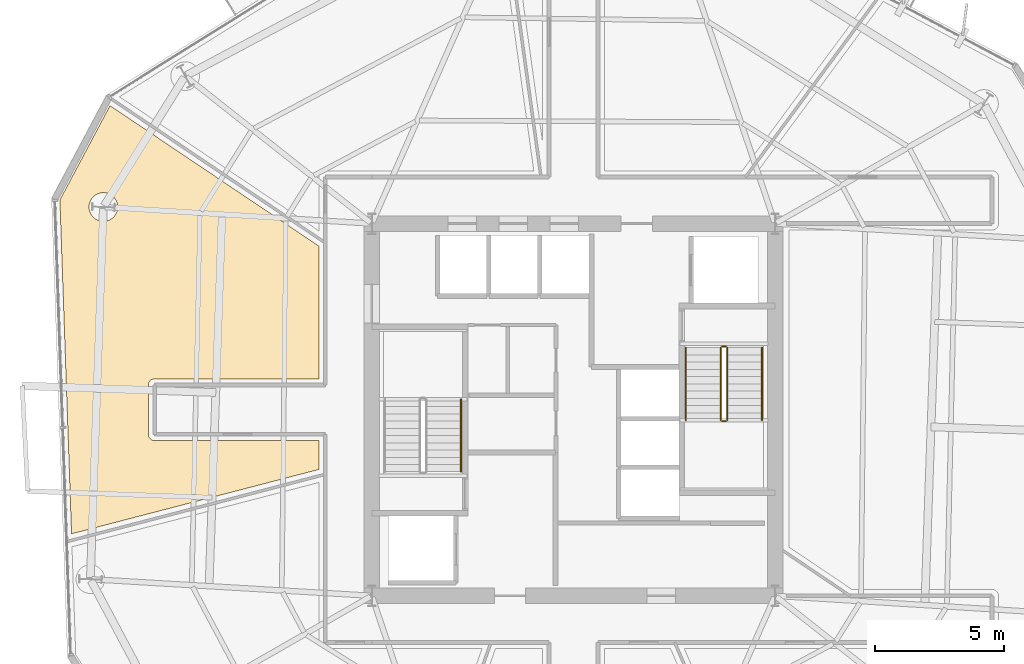
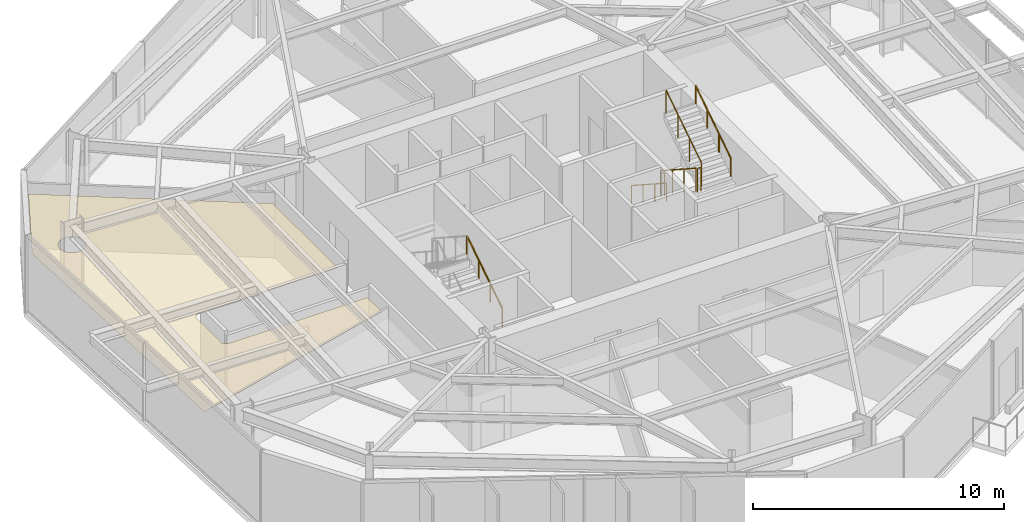
# One storey, part 10 of 12: 7 railings, 1 covering.
"""IFC4 building model written with IfcOpenShell, lengths in metres."""

from ifc_helpers import new_model, si_unit, direction, frame, origin, origin_2d, place, context, subcontext, project, spatial, polyline, circle, outline, extrude, material, layer, layer_set, type_object, element, save


model = new_model("IFC4")

# Units and contexts
model_context = context("Model", 3, precision=1e-05, world=origin(), true_north=direction((0.0, 1.0)))
body_context = subcontext(model_context, "Body", "Model", "MODEL_VIEW")
ifc_project = project(units=[si_unit("LENGTHUNIT", "METRE"), si_unit("AREAUNIT", "SQUARE_METRE"), si_unit("VOLUMEUNIT", "CUBIC_METRE"), si_unit("PLANEANGLEUNIT", "RADIAN"), si_unit("MASSUNIT", "GRAM", prefix="KILO")], contexts=[model_context])

# Site, building, storey
site_placement = place(None, origin())
site = spatial("IfcSite", under=ifc_project, at=site_placement, CompositionType="ELEMENT")
building_placement = place(site_placement, origin())
building = spatial("IfcBuilding", under=site, at=building_placement, Name="Kranzbogen Civic Tower", CompositionType="ELEMENT")
storey_placement = place(building_placement, frame((0.0, 0.0, 150.39990234375)))
storey = spatial("IfcBuildingStorey", under=building, at=storey_placement, Name="L36", CompositionType="ELEMENT", Elevation=150.39990234375)

# Railings
ifc_material_1 = material(Name="Steel S355", Category="steel")
railing_type_1 = type_object("IfcRailingType", Name="Internal Stair and Void Steel Guardrail 1150", PredefinedType="GUARDRAIL", material=ifc_material_1)
railing_1_placement = place(storey_placement, frame((30.699951171875, 27.39990234375, 0.181884765625)))
element("IfcRailing", 1, at=railing_1_placement, inside=storey, type_object=railing_type_1, Name="L36 ST-T2 stair guard 1", PredefinedType="GUARDRAIL", context=body_context, shape_type="SweptSolid", body=[
    extrude(circle(Radius=0.02392578125, at=origin_2d()), frame((0.0, 0.0, 1.1259765625), z_axis=(0.0, -0.83868413941, 0.544618136222), x_axis=(1.0, 0.0, 0.0)), (0.0, 0.0, 1.0), 3.33837890625),
    extrude(circle(Radius=0.02099609375, at=origin_2d()), origin(), (0.0, 0.0, 1.0), 1.101806640625),
    extrude(circle(Radius=0.02099609375, at=origin_2d()), frame((0.0, -0.933349609375, 0.60595703125)), (0.0, 0.0, 1.0), 1.101806640625),
    extrude(circle(Radius=0.02099609375, at=origin_2d()), frame((0.0, -1.866455078125, 1.212158203125)), (0.0, 0.0, 1.0), 1.101806640625),
    extrude(circle(Radius=0.02099609375, at=origin_2d()), frame((0.0, -2.7998046875, 1.818115234375)), (0.0, 0.0, 1.0), 1.101806640625),
])
railing_2_placement = place(storey_placement, frame((30.75, 24.550048828125, 2.0)))
element("IfcRailing", 2, at=railing_2_placement, inside=storey, type_object=railing_type_1, Name="L36 ST-T2 stair guard 2", PredefinedType="GUARDRAIL", context=body_context, shape_type="SweptSolid", body=[
    extrude(circle(Radius=0.02392578125, at=origin_2d()), frame((0.0, 0.0, 1.1259765625), z_axis=(1.0, 0.0, 0.0), x_axis=(0.0, 1.0, 0.0)), (0.0, 0.0, 1.0), 0.14990234375),
    extrude(circle(Radius=0.02099609375, at=origin_2d()), origin(), (0.0, 0.0, 1.0), 1.101806640625),
    extrude(circle(Radius=0.02099609375, at=origin_2d()), frame((0.14990234375, 0.0, 0.0)), (0.0, 0.0, 1.0), 1.101806640625),
])
railing_3_placement = place(storey_placement, frame((30.949951171875, 24.60009765625, 2.181884765625)))
element("IfcRailing", 3, at=railing_3_placement, inside=storey, type_object=railing_type_1, Name="L36 ST-T2 stair guard 3", PredefinedType="GUARDRAIL", context=body_context, shape_type="SweptSolid", body=[
    extrude(circle(Radius=0.02392578125, at=origin_2d()), frame((0.0, 0.0, 1.1259765625), z_axis=(0.0, 0.83868413941, 0.544618136222), x_axis=(-1.0, 0.0, 0.0)), (0.0, 0.0, 1.0), 3.33837890625),
    extrude(circle(Radius=0.02099609375, at=origin_2d()), origin(), (0.0, 0.0, 1.0), 1.101806640625),
    extrude(circle(Radius=0.02099609375, at=origin_2d()), frame((0.0, 0.933349609375, 0.60595703125)), (0.0, 0.0, 1.0), 1.101806640625),
    extrude(circle(Radius=0.02099609375, at=origin_2d()), frame((0.0, 1.866455078125, 1.212158203125)), (0.0, 0.0, 1.0), 1.101806640625),
    extrude(circle(Radius=0.02099609375, at=origin_2d()), frame((0.0, 2.7998046875, 1.818115234375)), (0.0, 0.0, 1.0), 1.101806640625),
])
railing_4_placement = place(storey_placement, frame((30.75, 27.449951171875, 0.0)))
element("IfcRailing", 4, at=railing_4_placement, inside=storey, type_object=railing_type_1, Name="L36 ST-T2 stair guard 4", PredefinedType="GUARDRAIL", context=body_context, shape_type="SweptSolid", body=[
    extrude(circle(Radius=0.02392578125, at=origin_2d()), frame((0.0, 0.0, 1.1259765625), z_axis=(1.0, 0.0, 0.0), x_axis=(0.0, 1.0, 0.0)), (0.0, 0.0, 1.0), 0.14990234375),
    extrude(circle(Radius=0.02099609375, at=origin_2d()), origin(), (0.0, 0.0, 1.0), 1.101806640625),
    extrude(circle(Radius=0.02099609375, at=origin_2d()), frame((0.14990234375, 0.0, 0.0)), (0.0, 0.0, 1.0), 1.101806640625),
])

# Covering
ifc_material_2 = material(Name="Perforated Acoustic Gypsum Ceiling")
ifc_layer = layer(ifc_material_2, 0.02490234375, Name="Perforated Acoustic Gypsum Ceiling")
ifc_layer_set = layer_set([ifc_layer], Name="Perforated Acoustic Gypsum Ceiling")
covering_type = type_object("IfcCoveringType", Name="Perforated Acoustic Mineral Ceiling Tile 25 mm", PredefinedType="CEILING", material=ifc_layer_set)
covering_placement = place(storey_placement, frame((0.0, 0.0, 2.75)))
element("IfcCovering", 5, at=covering_placement, inside=storey, type_object=covering_type, Name="L36 Ministerial Policy Office acoustic ceiling", PredefinedType="CEILING", context=body_context, shape_type="SweptSolid", body=[
    extrude(outline(polyline([(7.070068359375, 36.764892578125), (15.155029296875, 31.326904296875), (15.155029296875, 26.195068359375), (8.800048828125, 26.195068359375), (8.791015625, 26.195068359375), (8.784912109375, 26.194091796875), (8.76708984375, 26.193115234375), (8.760986328125, 26.19189453125), (8.743896484375, 26.18798828125), (8.737060546875, 26.18701171875), (8.719970703125, 26.181884765625), (8.714111328125, 26.179931640625), (8.697998046875, 26.173095703125), (8.69189453125, 26.169921875), (8.677001953125, 26.162109375), (8.6708984375, 26.157958984375), (8.656982421875, 26.14892578125), (8.652099609375, 26.14501953125), (8.637939453125, 26.134033203125), (8.633056640625, 26.12890625), (8.62109375, 26.116943359375), (8.615966796875, 26.112060546875), (8.60498046875, 26.097900390625), (8.60107421875, 26.093017578125), (8.592041015625, 26.0791015625), (8.587890625, 26.072998046875), (8.580078125, 26.05810546875), (8.576904296875, 26.052001953125), (8.570068359375, 26.035888671875), (8.568115234375, 26.030029296875), (8.56298828125, 26.012939453125), (8.56201171875, 26.006103515625), (8.55810546875, 25.989013671875), (8.556884765625, 25.98291015625), (8.555908203125, 25.965087890625), (8.554931640625, 25.958984375), (8.554931640625, 25.949951171875), (8.554931640625, 24.050048828125), (8.554931640625, 24.041015625), (8.555908203125, 24.034912109375), (8.556884765625, 24.01708984375), (8.55810546875, 24.010986328125), (8.56201171875, 23.993896484375), (8.56298828125, 23.987060546875), (8.568115234375, 23.969970703125), (8.570068359375, 23.964111328125), (8.576904296875, 23.947998046875), (8.580078125, 23.94189453125), (8.587890625, 23.927001953125), (8.592041015625, 23.9208984375), (8.60107421875, 23.906982421875), (8.60498046875, 23.902099609375), (8.615966796875, 23.887939453125), (8.62109375, 23.883056640625), (8.633056640625, 23.87109375), (8.637939453125, 23.865966796875), (8.652099609375, 23.85498046875), (8.656982421875, 23.85107421875), (8.6708984375, 23.842041015625), (8.677001953125, 23.837890625), (8.69189453125, 23.830078125), (8.697998046875, 23.826904296875), (8.714111328125, 23.820068359375), (8.719970703125, 23.818115234375), (8.737060546875, 23.81298828125), (8.743896484375, 23.81201171875), (8.760986328125, 23.80810546875), (8.76708984375, 23.806884765625), (8.784912109375, 23.805908203125), (8.791015625, 23.804931640625), (8.800048828125, 23.804931640625), (15.155029296875, 23.804931640625), (15.155029296875, 22.68994140625), (5.5810546875, 20.197998046875), (5.1298828125, 33.114990234375), (7.070068359375, 36.764892578125)]), holes=[polyline([(7.324951171875, 32.632080078125), (7.302001953125, 32.5830078125), (7.27392578125, 32.535888671875), (7.241943359375, 32.491943359375), (7.205078125, 32.451904296875), (7.1650390625, 32.4150390625), (7.12109375, 32.383056640625), (7.073974609375, 32.35498046875), (7.02490234375, 32.33203125), (6.97412109375, 32.31396484375), (6.9208984375, 32.300048828125), (6.866943359375, 32.2919921875), (6.81298828125, 32.2900390625), (6.759033203125, 32.2919921875), (6.705078125, 32.300048828125), (6.652099609375, 32.31396484375), (6.60107421875, 32.33203125), (6.552001953125, 32.35498046875), (6.5048828125, 32.383056640625), (6.4609375, 32.4150390625), (6.4208984375, 32.451904296875), (6.384033203125, 32.491943359375), (6.35205078125, 32.535888671875), (6.323974609375, 32.5830078125), (6.301025390625, 32.632080078125), (6.282958984375, 32.68310546875), (6.26904296875, 32.736083984375), (6.260986328125, 32.7900390625), (6.259033203125, 32.843994140625), (6.260986328125, 32.89794921875), (6.26904296875, 32.951904296875), (6.282958984375, 33.0048828125), (6.301025390625, 33.055908203125), (6.323974609375, 33.10498046875), (6.35205078125, 33.152099609375), (6.384033203125, 33.196044921875), (6.4208984375, 33.236083984375), (6.4609375, 33.27294921875), (6.5048828125, 33.304931640625), (6.552001953125, 33.3330078125), (6.60107421875, 33.35595703125), (6.652099609375, 33.3740234375), (6.705078125, 33.387939453125), (6.759033203125, 33.39599609375), (6.81298828125, 33.39794921875), (6.866943359375, 33.39599609375), (6.9208984375, 33.387939453125), (6.97412109375, 33.3740234375), (7.02490234375, 33.35595703125), (7.073974609375, 33.3330078125), (7.12109375, 33.304931640625), (7.1650390625, 33.27294921875), (7.205078125, 33.236083984375), (7.241943359375, 33.196044921875), (7.27392578125, 33.152099609375), (7.302001953125, 33.10498046875), (7.324951171875, 33.055908203125), (7.343017578125, 33.0048828125), (7.35693359375, 32.951904296875), (7.364990234375, 32.89794921875), (7.366943359375, 32.843994140625), (7.364990234375, 32.7900390625), (7.35693359375, 32.736083984375), (7.343017578125, 32.68310546875), (7.324951171875, 32.632080078125)])]), origin(), (0.0, 0.0, 1.0), 0.025146484375),
])

# Railings
ifc_material_3 = material(Name="Pale Anodised Aluminium", Category="aluminium")
railing_type_2 = type_object("IfcRailingType", Name="Tubular Stainless Stair Wall Handrail 900", PredefinedType="HANDRAIL", material=ifc_material_3)
railing_5_placement = place(storey_placement, frame((20.64990234375, 22.60009765625, 0.181884765625)))
element("IfcRailing", 6, at=railing_5_placement, inside=storey, type_object=railing_type_2, Name="L36 ST-T1 stair handrail 1", PredefinedType="HANDRAIL", context=body_context, shape_type="SweptSolid", body=[
    extrude(circle(Radius=0.02392578125, at=origin_2d()), frame((0.0, 0.0, 0.8759765625), z_axis=(0.0, 0.83868413941, 0.544618136222), x_axis=(-1.0, 0.0, 0.0)), (0.0, 0.0, 1.0), 3.33837890625),
    extrude(circle(Radius=0.02099609375, at=origin_2d()), origin(), (0.0, 0.0, 1.0), 0.851806640625),
    extrude(circle(Radius=0.02099609375, at=origin_2d()), frame((0.0, 0.933349609375, 0.60595703125)), (0.0, 0.0, 1.0), 0.851806640625),
    extrude(circle(Radius=0.02099609375, at=origin_2d()), frame((0.0, 1.866455078125, 1.212158203125)), (0.0, 0.0, 1.0), 0.851806640625),
    extrude(circle(Radius=0.02099609375, at=origin_2d()), frame((0.0, 2.7998046875, 1.818115234375)), (0.0, 0.0, 1.0), 0.851806640625),
])
railing_6_placement = place(storey_placement, frame((29.35009765625, 27.39990234375, 0.181884765625)))
element("IfcRailing", 7, at=railing_6_placement, inside=storey, type_object=railing_type_2, Name="L36 ST-T2 stair handrail 1", PredefinedType="HANDRAIL", context=body_context, shape_type="SweptSolid", body=[
    extrude(circle(Radius=0.02392578125, at=origin_2d()), frame((0.0, 0.0, 0.8759765625), z_axis=(0.0, -0.83868413941, 0.544618136222), x_axis=(1.0, 0.0, 0.0)), (0.0, 0.0, 1.0), 3.33837890625),
    extrude(circle(Radius=0.02099609375, at=origin_2d()), origin(), (0.0, 0.0, 1.0), 0.851806640625),
    extrude(circle(Radius=0.02099609375, at=origin_2d()), frame((0.0, -0.933349609375, 0.60595703125)), (0.0, 0.0, 1.0), 0.851806640625),
    extrude(circle(Radius=0.02099609375, at=origin_2d()), frame((0.0, -1.866455078125, 1.212158203125)), (0.0, 0.0, 1.0), 0.851806640625),
    extrude(circle(Radius=0.02099609375, at=origin_2d()), frame((0.0, -2.7998046875, 1.818115234375)), (0.0, 0.0, 1.0), 0.851806640625),
])
railing_7_placement = place(storey_placement, frame((32.300048828125, 24.60009765625, 2.181884765625)))
element("IfcRailing", 8, at=railing_7_placement, inside=storey, type_object=railing_type_2, Name="L36 ST-T2 stair handrail 2", PredefinedType="HANDRAIL", context=body_context, shape_type="SweptSolid", body=[
    extrude(circle(Radius=0.02392578125, at=origin_2d()), frame((0.0, 0.0, 0.8759765625), z_axis=(0.0, 0.83868413941, 0.544618136222), x_axis=(-1.0, 0.0, 0.0)), (0.0, 0.0, 1.0), 3.33837890625),
    extrude(circle(Radius=0.02099609375, at=origin_2d()), origin(), (0.0, 0.0, 1.0), 0.851806640625),
    extrude(circle(Radius=0.02099609375, at=origin_2d()), frame((0.0, 0.933349609375, 0.60595703125)), (0.0, 0.0, 1.0), 0.851806640625),
    extrude(circle(Radius=0.02099609375, at=origin_2d()), frame((0.0, 1.866455078125, 1.212158203125)), (0.0, 0.0, 1.0), 0.851806640625),
    extrude(circle(Radius=0.02099609375, at=origin_2d()), frame((0.0, 2.7998046875, 1.818115234375)), (0.0, 0.0, 1.0), 0.851806640625),
])

save(model, "model.ifc")
